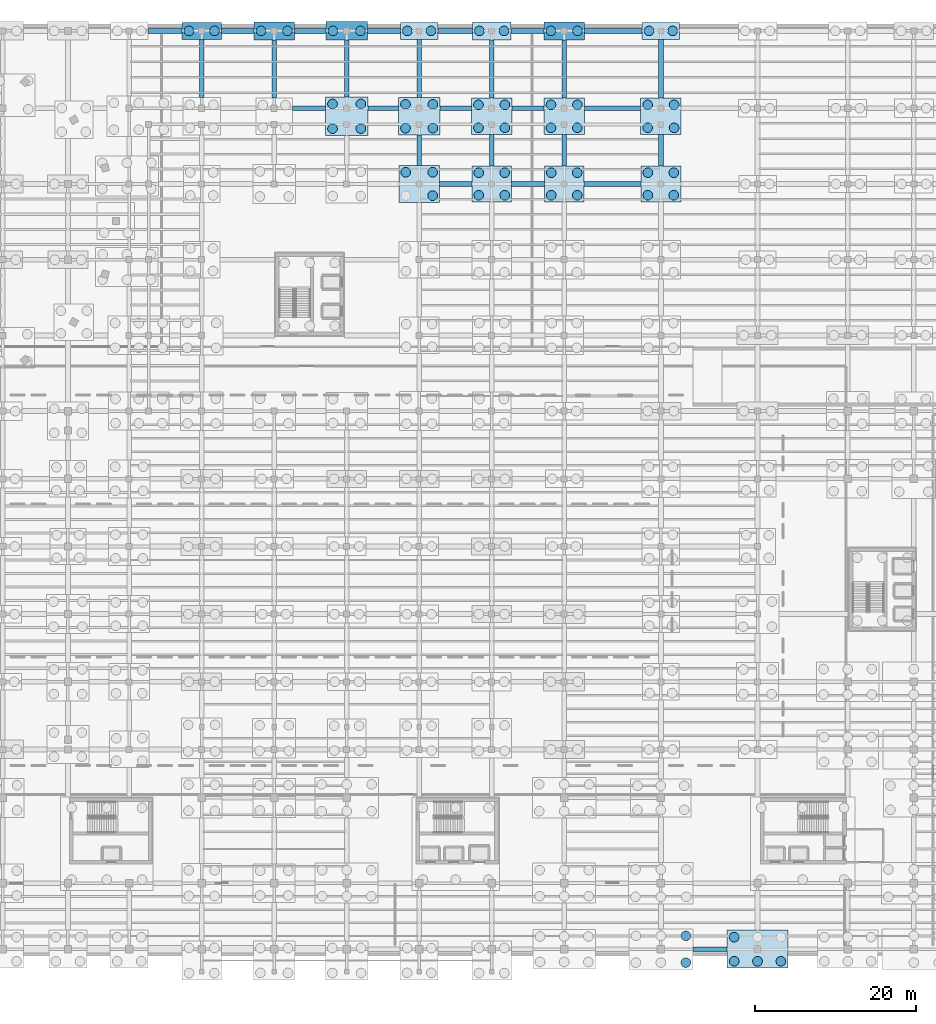
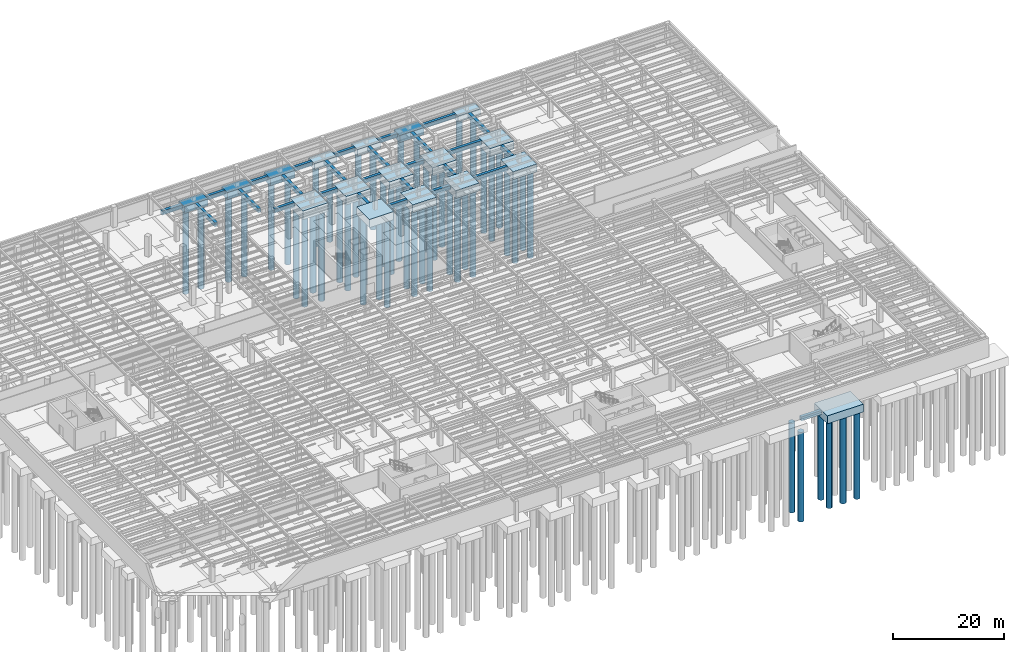
# One storey, part 13 of 49: 55 piles, 44 footings.
"""IFC4 building model written with IfcOpenShell, lengths in metres."""

from ifc_helpers import new_model, si_unit, direction, frame, origin, origin_2d, place, context, subcontext, project, spatial, rectangle, circle, extrude, material, material_profile, profile_set, type_object, element, save


model = new_model("IFC4")

# Units and contexts
model_context = context("Model", 3, precision=1e-05, world=origin(), true_north=direction((0.0, 1.0)))
body_context = subcontext(model_context, "Body", "Model", "MODEL_VIEW")
ifc_project = project(units=[si_unit("LENGTHUNIT", "METRE"), si_unit("AREAUNIT", "SQUARE_METRE"), si_unit("VOLUMEUNIT", "CUBIC_METRE"), si_unit("PLANEANGLEUNIT", "RADIAN"), si_unit("MASSUNIT", "GRAM", prefix="KILO")], contexts=[model_context])

# Site, building, storey
site_placement = place(None, origin())
site = spatial("IfcSite", under=ifc_project, at=site_placement, CompositionType="ELEMENT")
building_placement = place(site_placement, origin())
building = spatial("IfcBuilding", under=site, at=building_placement, Name="Sollismere Congress Hotel", CompositionType="ELEMENT")
storey_placement = place(building_placement, frame((0.0, 0.0, -4.5)))
storey = spatial("IfcBuildingStorey", under=building, at=storey_placement, Name="B1", CompositionType="ELEMENT", Elevation=-4.5)

# Footings
ifc_material = material(Name="Concrete C40/50", Category="concrete")
footing_type_1 = type_object("IfcFootingType", Name="FT-GB600", PredefinedType="FOOTING_BEAM", material=ifc_material)
footing_1_placement = place(storey_placement, frame((130.10009765625, 0.0, -0.89990234375), z_axis=(0.0, 0.0, 1.0), x_axis=(1.0, 0.0, 0.0)))
element("IfcFooting", 1, at=footing_1_placement, inside=storey, type_object=footing_type_1, Name="FTG-GB-005", PredefinedType="FOOTING_BEAM", context=body_context, shape_type="SweptSolid", body=[
    extrude(rectangle(XDim=4.280029296875, YDim=0.60009765625, at=origin_2d()), origin(), (0.0, 0.0, 1.0), 0.89990234375),
])
footing_2_placement = place(storey_placement, frame((98.530029296875, 95.0, -0.89990234375), z_axis=(0.0, 0.0, 1.0), x_axis=(1.0, 0.0, 0.0)))
element("IfcFooting", 2, at=footing_2_placement, inside=storey, type_object=footing_type_1, Name="FTG-GB-174", PredefinedType="FOOTING_BEAM", context=body_context, shape_type="SweptSolid", body=[
    extrude(rectangle(XDim=4.0, YDim=0.60009765625, at=origin_2d()), origin(), (0.0, 0.0, 1.0), 0.89990234375),
])
footing_3_placement = place(storey_placement, frame((107.5, 95.0, -0.89990234375), z_axis=(0.0, 0.0, 1.0), x_axis=(1.0, 0.0, 0.0)))
element("IfcFooting", 3, at=footing_3_placement, inside=storey, type_object=footing_type_1, Name="FTG-GB-175", PredefinedType="FOOTING_BEAM", context=body_context, shape_type="SweptSolid", body=[
    extrude(rectangle(XDim=4.06005859375, YDim=0.60009765625, at=origin_2d()), origin(), (0.0, 0.0, 1.0), 0.89990234375),
])
footing_4_placement = place(storey_placement, frame((118.0, 95.0, -0.89990234375), z_axis=(0.0, 0.0, 1.0), x_axis=(1.0, 0.0, 0.0)))
element("IfcFooting", 4, at=footing_4_placement, inside=storey, type_object=footing_type_1, Name="FTG-GB-176", PredefinedType="FOOTING_BEAM", context=body_context, shape_type="SweptSolid", body=[
    extrude(rectangle(XDim=7.06005859375, YDim=0.60009765625, at=origin_2d()), origin(), (0.0, 0.0, 1.0), 0.89990234375),
])
footing_5_placement = place(storey_placement, frame((80.320068359375, 104.39990234375, -0.89990234375), z_axis=(0.0, 0.0, 1.0), x_axis=(1.0, 0.0, 0.0)))
element("IfcFooting", 5, at=footing_5_placement, inside=storey, type_object=footing_type_1, Name="FTG-GB-190", PredefinedType="FOOTING_BEAM", context=body_context, shape_type="SweptSolid", body=[
    extrude(rectangle(XDim=4.1201171875, YDim=0.60009765625, at=origin_2d()), origin(), (0.0, 0.0, 1.0), 0.89990234375),
])
footing_6_placement = place(storey_placement, frame((89.530029296875, 104.39990234375, -0.89990234375), z_axis=(0.0, 0.0, 1.0), x_axis=(1.0, 0.0, 0.0)))
element("IfcFooting", 6, at=footing_6_placement, inside=storey, type_object=footing_type_1, Name="FTG-GB-191", PredefinedType="FOOTING_BEAM", context=body_context, shape_type="SweptSolid", body=[
    extrude(rectangle(XDim=3.820068359375, YDim=0.60009765625, at=origin_2d()), origin(), (0.0, 0.0, 1.0), 0.89990234375),
])
footing_7_placement = place(storey_placement, frame((98.530029296875, 104.39990234375, -0.89990234375), z_axis=(0.0, 0.0, 1.0), x_axis=(1.0, 0.0, 0.0)))
element("IfcFooting", 7, at=footing_7_placement, inside=storey, type_object=footing_type_1, Name="FTG-GB-192", PredefinedType="FOOTING_BEAM", context=body_context, shape_type="SweptSolid", body=[
    extrude(rectangle(XDim=3.93994140625, YDim=0.60009765625, at=origin_2d()), origin(), (0.0, 0.0, 1.0), 0.89990234375),
])
footing_8_placement = place(storey_placement, frame((107.5, 104.39990234375, -0.89990234375), z_axis=(0.0, 0.0, 1.0), x_axis=(1.0, 0.0, 0.0)))
element("IfcFooting", 8, at=footing_8_placement, inside=storey, type_object=footing_type_1, Name="FTG-GB-193", PredefinedType="FOOTING_BEAM", context=body_context, shape_type="SweptSolid", body=[
    extrude(rectangle(XDim=4.0, YDim=0.60009765625, at=origin_2d()), origin(), (0.0, 0.0, 1.0), 0.89990234375),
])
footing_9_placement = place(storey_placement, frame((118.0, 104.39990234375, -0.89990234375), z_axis=(0.0, 0.0, 1.0), x_axis=(1.0, 0.0, 0.0)))
element("IfcFooting", 9, at=footing_9_placement, inside=storey, type_object=footing_type_1, Name="FTG-GB-194", PredefinedType="FOOTING_BEAM", context=body_context, shape_type="SweptSolid", body=[
    extrude(rectangle(XDim=7.0, YDim=0.60009765625, at=origin_2d()), origin(), (0.0, 0.0, 1.0), 0.89990234375),
])
footing_10_placement = place(storey_placement, frame((62.43994140625, 114.0, -0.89990234375), z_axis=(0.0, 0.0, 1.0), x_axis=(1.0, 0.0, 0.0)))
element("IfcFooting", 10, at=footing_10_placement, inside=storey, type_object=footing_type_1, Name="FTG-GB-205", PredefinedType="FOOTING_BEAM", context=body_context, shape_type="SweptSolid", body=[
    extrude(rectangle(XDim=4.219970703125, YDim=0.60009765625, at=origin_2d()), origin(), (0.0, 0.0, 1.0), 0.89990234375),
])
footing_11_placement = place(storey_placement, frame((71.469970703125, 114.0, -0.89990234375), z_axis=(0.0, 0.0, 1.0), x_axis=(1.0, 0.0, 0.0)))
element("IfcFooting", 11, at=footing_11_placement, inside=storey, type_object=footing_type_1, Name="FTG-GB-206", PredefinedType="FOOTING_BEAM", context=body_context, shape_type="SweptSolid", body=[
    extrude(rectangle(XDim=4.0400390625, YDim=0.60009765625, at=origin_2d()), origin(), (0.0, 0.0, 1.0), 0.89990234375),
])
footing_12_placement = place(storey_placement, frame((80.469970703125, 114.0, -0.89990234375), z_axis=(0.0, 0.0, 1.0), x_axis=(1.0, 0.0, 0.0)))
element("IfcFooting", 12, at=footing_12_placement, inside=storey, type_object=footing_type_1, Name="FTG-GB-207", PredefinedType="FOOTING_BEAM", context=body_context, shape_type="SweptSolid", body=[
    extrude(rectangle(XDim=3.919921875, YDim=0.60009765625, at=origin_2d()), origin(), (0.0, 0.0, 1.0), 0.89990234375),
])
footing_13_placement = place(storey_placement, frame((89.6201171875, 114.0, -0.89990234375), z_axis=(0.0, 0.0, 1.0), x_axis=(1.0, 0.0, 0.0)))
element("IfcFooting", 13, at=footing_13_placement, inside=storey, type_object=footing_type_1, Name="FTG-GB-208", PredefinedType="FOOTING_BEAM", context=body_context, shape_type="SweptSolid", body=[
    extrude(rectangle(XDim=4.10009765625, YDim=0.60009765625, at=origin_2d()), origin(), (0.0, 0.0, 1.0), 0.89990234375),
])
footing_14_placement = place(storey_placement, frame((98.469970703125, 114.0, -0.89990234375), z_axis=(0.0, 0.0, 1.0), x_axis=(1.0, 0.0, 0.0)))
element("IfcFooting", 14, at=footing_14_placement, inside=storey, type_object=footing_type_1, Name="FTG-GB-209", PredefinedType="FOOTING_BEAM", context=body_context, shape_type="SweptSolid", body=[
    extrude(rectangle(XDim=4.280029296875, YDim=0.60009765625, at=origin_2d()), origin(), (0.0, 0.0, 1.0), 0.89990234375),
])
footing_15_placement = place(storey_placement, frame((107.43994140625, 114.0, -0.89990234375), z_axis=(0.0, 0.0, 1.0), x_axis=(1.0, 0.0, 0.0)))
element("IfcFooting", 15, at=footing_15_placement, inside=storey, type_object=footing_type_1, Name="FTG-GB-210", PredefinedType="FOOTING_BEAM", context=body_context, shape_type="SweptSolid", body=[
    extrude(rectangle(XDim=4.10009765625, YDim=0.60009765625, at=origin_2d()), origin(), (0.0, 0.0, 1.0), 0.89990234375),
])
footing_16_placement = place(storey_placement, frame((118.090087890625, 114.0, -0.89990234375), z_axis=(0.0, 0.0, 1.0), x_axis=(1.0, 0.0, 0.0)))
element("IfcFooting", 16, at=footing_16_placement, inside=storey, type_object=footing_type_1, Name="FTG-GB-211", PredefinedType="FOOTING_BEAM", context=body_context, shape_type="SweptSolid", body=[
    extrude(rectangle(XDim=7.159912109375, YDim=0.60009765625, at=origin_2d()), origin(), (0.0, 0.0, 1.0), 0.89990234375),
])
for number, where, z_axis, x_axis, name in (
    (17, (67.0, 109.330078125, -0.89990234375), (0.0, 0.0, 1.0), (0.0, 1.0, 0.0), "FTG-GB-325"),
    (18, (76.0, 109.280029296875, -0.89990234375), (0.0, 0.0, 1.0), (0.0, 1.0, 0.0), "FTG-GB-335"),
):
    element("IfcFooting", number, at=place(storey_placement, frame(where, z_axis=z_axis, x_axis=x_axis)), inside=storey, type_object=footing_type_1, Name=name, PredefinedType="FOOTING_BEAM", context=body_context, shape_type="SweptSolid", body=[
        extrude(rectangle(XDim=7.239990234375, YDim=0.60009765625, at=origin_2d()), origin(), (0.0, 0.0, 1.0), 0.89990234375),
    ])
footing_17_placement = place(storey_placement, frame((85.0, 109.3173828125, -0.89990234375), z_axis=(0.0, 0.0, 1.0), x_axis=(0.0, 1.0, 0.0)))
element("IfcFooting", 19, at=footing_17_placement, inside=storey, type_object=footing_type_1, Name="FTG-GB-345", PredefinedType="FOOTING_BEAM", context=body_context, shape_type="SweptSolid", body=[
    extrude(rectangle(XDim=7.06494140625, YDim=0.60009765625, at=origin_2d()), origin(), (0.0, 0.0, 1.0), 0.89990234375),
])
footing_18_placement = place(storey_placement, frame((94.0, 99.1875, -0.89990234375), z_axis=(0.0, 0.0, 1.0), x_axis=(0.0, 1.0, 0.0)))
element("IfcFooting", 20, at=footing_18_placement, inside=storey, type_object=footing_type_1, Name="FTG-GB-356", PredefinedType="FOOTING_BEAM", context=body_context, shape_type="SweptSolid", body=[
    extrude(rectangle(XDim=3.7548828125, YDim=0.60009765625, at=origin_2d()), origin(), (0.0, 0.0, 1.0), 0.89990234375),
])
footing_19_placement = place(storey_placement, frame((94.0, 109.330078125, -0.89990234375), z_axis=(0.0, 0.0, 1.0), x_axis=(0.0, 1.0, 0.0)))
element("IfcFooting", 21, at=footing_19_placement, inside=storey, type_object=footing_type_1, Name="FTG-GB-357", PredefinedType="FOOTING_BEAM", context=body_context, shape_type="SweptSolid", body=[
    extrude(rectangle(XDim=7.18994140625, YDim=0.60009765625, at=origin_2d()), origin(), (0.0, 0.0, 1.0), 0.89990234375),
])
footing_20_placement = place(storey_placement, frame((103.0, 99.1875, -0.89990234375), z_axis=(0.0, 0.0, 1.0), x_axis=(0.0, 1.0, 0.0)))
element("IfcFooting", 22, at=footing_20_placement, inside=storey, type_object=footing_type_1, Name="FTG-GB-368", PredefinedType="FOOTING_BEAM", context=body_context, shape_type="SweptSolid", body=[
    extrude(rectangle(XDim=3.85498046875, YDim=0.60009765625, at=origin_2d()), origin(), (0.0, 0.0, 1.0), 0.89990234375),
])
footing_21_placement = place(storey_placement, frame((103.0, 109.280029296875, -0.89990234375), z_axis=(0.0, 0.0, 1.0), x_axis=(0.0, 1.0, 0.0)))
element("IfcFooting", 23, at=footing_21_placement, inside=storey, type_object=footing_type_1, Name="FTG-GB-369", PredefinedType="FOOTING_BEAM", context=body_context, shape_type="SweptSolid", body=[
    extrude(rectangle(XDim=7.18994140625, YDim=0.60009765625, at=origin_2d()), origin(), (0.0, 0.0, 1.0), 0.89990234375),
])
footing_22_placement = place(storey_placement, frame((112.0, 99.1875, -0.89990234375), z_axis=(0.0, 0.0, 1.0), x_axis=(0.0, 1.0, 0.0)))
element("IfcFooting", 24, at=footing_22_placement, inside=storey, type_object=footing_type_1, Name="FTG-GB-381", PredefinedType="FOOTING_BEAM", context=body_context, shape_type="SweptSolid", body=[
    extrude(rectangle(XDim=3.85498046875, YDim=0.60009765625, at=origin_2d()), origin(), (0.0, 0.0, 1.0), 0.89990234375),
])
footing_23_placement = place(storey_placement, frame((112.0, 109.29248046875, -0.89990234375), z_axis=(0.0, 0.0, 1.0), x_axis=(0.0, 1.0, 0.0)))
element("IfcFooting", 25, at=footing_23_placement, inside=storey, type_object=footing_type_1, Name="FTG-GB-382", PredefinedType="FOOTING_BEAM", context=body_context, shape_type="SweptSolid", body=[
    extrude(rectangle(XDim=7.215087890625, YDim=0.60009765625, at=origin_2d()), origin(), (0.0, 0.0, 1.0), 0.89990234375),
])
footing_24_placement = place(storey_placement, frame((124.0, 99.1875, -0.89990234375), z_axis=(0.0, 0.0, 1.0), x_axis=(0.0, 1.0, 0.0)))
element("IfcFooting", 26, at=footing_24_placement, inside=storey, type_object=footing_type_1, Name="FTG-GB-394", PredefinedType="FOOTING_BEAM", context=body_context, shape_type="SweptSolid", body=[
    extrude(rectangle(XDim=3.85498046875, YDim=0.60009765625, at=origin_2d()), origin(), (0.0, 0.0, 1.0), 0.89990234375),
])
footing_25_placement = place(storey_placement, frame((124.0, 109.304931640625, -0.89990234375), z_axis=(0.0, 0.0, 1.0), x_axis=(0.0, 1.0, 0.0)))
element("IfcFooting", 27, at=footing_25_placement, inside=storey, type_object=footing_type_1, Name="FTG-GB-395", PredefinedType="FOOTING_BEAM", context=body_context, shape_type="SweptSolid", body=[
    extrude(rectangle(XDim=7.239990234375, YDim=0.60009765625, at=origin_2d()), origin(), (0.0, 0.0, 1.0), 0.89990234375),
])
footing_type_2 = type_object("IfcFootingType", Name="FT-PC2-02", PredefinedType="PILE_CAP", material=ifc_material)
for number, where, z_axis, x_axis, name in (
    (28, (94.0, 114.0, -1.33984375), (0.0, 0.0, 1.0), (1.0, 0.0, 0.0), "Reinforced concrete pile cap PC-152"),
    (29, (124.0, 114.0, -1.33984375), (0.0, 0.0, 1.0), (1.0, 0.0, 0.0), "Reinforced concrete pile cap PC-192"),
):
    element("IfcFooting", number, at=place(storey_placement, frame(where, z_axis=z_axis, x_axis=x_axis)), inside=storey, type_object=footing_type_2, Name=name, PredefinedType="PILE_CAP", context=body_context, shape_type="SweptSolid", body=[
        extrude(rectangle(XDim=4.659912109375, YDim=2.14990234375, at=origin_2d()), origin(), (0.0, 0.0, 1.0), 1.340087890625),
    ])
footing_type_3 = type_object("IfcFootingType", Name="FT-PC2-04", PredefinedType="PILE_CAP", material=ifc_material)
footing_26_placement = place(storey_placement, frame((103.0, 114.0, -1.419921875), z_axis=(0.0, 0.0, 1.0), x_axis=(1.0, 0.0, 0.0)))
element("IfcFooting", 30, at=footing_26_placement, inside=storey, type_object=footing_type_3, Name="Reinforced concrete pile cap PC-164", PredefinedType="PILE_CAP", context=body_context, shape_type="SweptSolid", body=[
    extrude(rectangle(XDim=4.780029296875, YDim=2.25, at=origin_2d()), origin(), (0.0, 0.0, 1.0), 1.419921875),
])
footing_type_4 = type_object("IfcFootingType", Name="FT-PC2-06", PredefinedType="PILE_CAP", material=ifc_material)
footing_27_placement = place(storey_placement, frame((67.0, 114.0, -1.5), z_axis=(0.0, 0.0, 1.0), x_axis=(1.0, 0.0, 0.0)))
element("IfcFooting", 31, at=footing_27_placement, inside=storey, type_object=footing_type_4, Name="Reinforced concrete pile cap PC-116", PredefinedType="PILE_CAP", context=body_context, shape_type="SweptSolid", body=[
    extrude(rectangle(XDim=4.89990234375, YDim=2.10009765625, at=origin_2d()), origin(), (0.0, 0.0, 1.0), 1.5),
])
footing_type_5 = type_object("IfcFootingType", Name="FT-PC2-08", PredefinedType="PILE_CAP", material=ifc_material)
for number, where, z_axis, x_axis, name in (
    (32, (76.0, 114.0, -1.580078125), (0.0, 0.0, 1.0), (1.0, 0.0, 0.0), "Reinforced concrete pile cap PC-128"),
    (33, (112.0, 114.0, -1.580078125), (0.0, 0.0, 1.0), (1.0, 0.0, 0.0), "Reinforced concrete pile cap PC-178"),
):
    element("IfcFooting", number, at=place(storey_placement, frame(where, z_axis=z_axis, x_axis=x_axis)), inside=storey, type_object=footing_type_5, Name=name, PredefinedType="PILE_CAP", context=body_context, shape_type="SweptSolid", body=[
        extrude(rectangle(XDim=5.02001953125, YDim=2.199951171875, at=origin_2d()), origin(), (0.0, 0.0, 1.0), 1.580078125),
    ])
footing_type_6 = type_object("IfcFootingType", Name="FT-PC2-10", PredefinedType="PILE_CAP", material=ifc_material)
footing_28_placement = place(storey_placement, frame((85.0, 114.0, -1.66015625), z_axis=(0.0, 0.0, 1.0), x_axis=(1.0, 0.0, 0.0)))
element("IfcFooting", 34, at=footing_28_placement, inside=storey, type_object=footing_type_6, Name="Reinforced concrete pile cap PC-140", PredefinedType="PILE_CAP", context=body_context, shape_type="SweptSolid", body=[
    extrude(rectangle(XDim=5.139892578125, YDim=2.300048828125, at=origin_2d()), origin(), (0.0, 0.0, 1.0), 1.659912109375),
])
footing_type_7 = type_object("IfcFootingType", Name="FT-PC4-08", PredefinedType="PILE_CAP", material=ifc_material)
for number, where, z_axis, x_axis, name in (
    (35, (103.0, 95.0, -1.72998046875), (0.0, 0.0, 1.0), (1.0, 0.0, 0.0), "Reinforced concrete pile cap PC-162"),
    (36, (112.0, 95.0, -1.72998046875), (0.0, 0.0, 1.0), (1.0, 0.0, 0.0), "Reinforced concrete pile cap PC-176"),
    (37, (124.0, 95.0, -1.72998046875), (0.0, 0.0, 1.0), (1.0, 0.0, 0.0), "Reinforced concrete pile cap PC-190"),
):
    element("IfcFooting", number, at=place(storey_placement, frame(where, z_axis=z_axis, x_axis=x_axis)), inside=storey, type_object=footing_type_7, Name=name, PredefinedType="PILE_CAP", context=body_context, shape_type="SweptSolid", body=[
        extrude(rectangle(XDim=4.93994140625, YDim=4.52001953125, at=origin_2d()), origin(), (0.0, 0.0, 1.0), 1.72998046875),
    ])
footing_type_8 = type_object("IfcFootingType", Name="FT-PC4-09", PredefinedType="PILE_CAP", material=ifc_material)
for number, where, z_axis, x_axis, name in (
    (38, (103.0, 103.39990234375, -1.77001953125), (0.0, 0.0, 1.0), (1.0, 0.0, 0.0), "Reinforced concrete pile cap PC-163"),
    (39, (112.0, 103.39990234375, -1.77001953125), (0.0, 0.0, 1.0), (1.0, 0.0, 0.0), "Reinforced concrete pile cap PC-177"),
    (40, (124.0, 103.39990234375, -1.77001953125), (0.0, 0.0, 1.0), (1.0, 0.0, 0.0), "Reinforced concrete pile cap PC-191"),
):
    element("IfcFooting", number, at=place(storey_placement, frame(where, z_axis=z_axis, x_axis=x_axis)), inside=storey, type_object=footing_type_8, Name=name, PredefinedType="PILE_CAP", context=body_context, shape_type="SweptSolid", body=[
        extrude(rectangle(XDim=5.0, YDim=4.570068359375, at=origin_2d()), origin(), (0.0, 0.0, 1.0), 1.77001953125),
    ])
footing_type_9 = type_object("IfcFootingType", Name="FT-PC4-10", PredefinedType="PILE_CAP", material=ifc_material)
footing_29_placement = place(storey_placement, frame((94.0, 95.0, -1.81005859375), z_axis=(0.0, 0.0, 1.0), x_axis=(1.0, 0.0, 0.0)))
element("IfcFooting", 41, at=footing_29_placement, inside=storey, type_object=footing_type_9, Name="Reinforced concrete pile cap PC-150", PredefinedType="PILE_CAP", context=body_context, shape_type="SweptSolid", body=[
    extrude(rectangle(XDim=5.06005859375, YDim=4.6201171875, at=origin_2d()), origin(), (0.0, 0.0, 1.0), 1.81005859375),
])
footing_type_10 = type_object("IfcFootingType", Name="FT-PC4-11", PredefinedType="PILE_CAP", material=ifc_material)
footing_30_placement = place(storey_placement, frame((94.0, 103.39990234375, -1.85009765625), z_axis=(0.0, 0.0, 1.0), x_axis=(1.0, 0.0, 0.0)))
element("IfcFooting", 42, at=footing_30_placement, inside=storey, type_object=footing_type_10, Name="Reinforced concrete pile cap PC-151", PredefinedType="PILE_CAP", context=body_context, shape_type="SweptSolid", body=[
    extrude(rectangle(XDim=5.1201171875, YDim=4.669921875, at=origin_2d()), origin(), (0.0, 0.0, 1.0), 1.85009765625),
])
footing_type_11 = type_object("IfcFootingType", Name="FT-PC4-13", PredefinedType="PILE_CAP", material=ifc_material)
footing_31_placement = place(storey_placement, frame((85.0, 103.39990234375, -1.93017578125), z_axis=(0.0, 0.0, 1.0), x_axis=(1.0, 0.0, 0.0)))
element("IfcFooting", 43, at=footing_31_placement, inside=storey, type_object=footing_type_11, Name="Reinforced concrete pile cap PC-139", PredefinedType="PILE_CAP", context=body_context, shape_type="SweptSolid", body=[
    extrude(rectangle(XDim=5.239990234375, YDim=4.77001953125, at=origin_2d()), origin(), (0.0, 0.0, 1.0), 1.929931640625),
])
footing_type_12 = type_object("IfcFootingType", Name="FT-PC6-01", PredefinedType="PILE_CAP", material=ifc_material)
footing_32_placement = place(storey_placement, frame((136.0, 0.0, -1.75), z_axis=(0.0, 0.0, 1.0), x_axis=(1.0, 0.0, 0.0)))
element("IfcFooting", 44, at=footing_32_placement, inside=storey, type_object=footing_type_12, Name="Reinforced concrete pile cap PC-193", PredefinedType="PILE_CAP", context=body_context, shape_type="SweptSolid", body=[
    extrude(rectangle(XDim=7.52001953125, YDim=4.719970703125, at=origin_2d()), origin(), (0.0, 0.0, 1.0), 1.75),
])

# Piles
ifc_material_profile = material_profile(ifc_material, circle(Radius=0.60009765625, at=origin_2d()), Name="CAISSON1200")
ifc_profile_set = profile_set([ifc_material_profile], Name="Concrete C40/50")
pile_type = type_object("IfcPileType", Name="PL-CS1200", PredefinedType="BORED", material=ifc_profile_set)
for number, where, z_axis, x_axis, name in (
    (45, (65.409912109375, 114.0, -1.39990234375), (0.0, 0.0, -1.0), (1.0, 0.0, 0.0), "Bored rock-socketed caisson PL-359"),
    (46, (68.590087890625, 114.0, -1.39990234375), (0.0, 0.0, -1.0), (1.0, 0.0, 0.0), "Bored rock-socketed caisson PL-360"),
):
    element("IfcPile", number, at=place(storey_placement, frame(where, z_axis=z_axis, x_axis=x_axis)), inside=storey, type_object=pile_type, Name=name, PredefinedType="BORED", context=body_context, shape_type="SweptSolid", body=[
        extrude(circle(Radius=0.60009765625, at=origin_2d()), origin(), (0.0, 0.0, 1.0), 18.5),
    ])
for number, where, z_axis, x_axis, name in (
    (47, (74.35009765625, 114.0, -1.47998046875), (0.0, 0.0, -1.0), (1.0, 0.0, 0.0), "Bored rock-socketed caisson PL-397"),
    (48, (77.64990234375, 114.0, -1.47998046875), (0.0, 0.0, -1.0), (1.0, 0.0, 0.0), "Bored rock-socketed caisson PL-398"),
):
    element("IfcPile", number, at=place(storey_placement, frame(where, z_axis=z_axis, x_axis=x_axis)), inside=storey, type_object=pile_type, Name=name, PredefinedType="BORED", context=body_context, shape_type="SweptSolid", body=[
        extrude(circle(Radius=0.60009765625, at=origin_2d()), origin(), (0.0, 0.0, 1.0), 18.89990234375),
    ])
for number, where, z_axis, x_axis, name in (
    (49, (83.239990234375, 101.875, -1.830078125), (0.0, 0.0, -1.0), (1.0, 0.0, 0.0), "Bored rock-socketed caisson PL-435"),
    (50, (86.760009765625, 101.875, -1.830078125), (0.0, 0.0, -1.0), (1.0, 0.0, 0.0), "Bored rock-socketed caisson PL-436"),
    (51, (83.239990234375, 104.925048828125, -1.830078125), (0.0, 0.0, -1.0), (1.0, 0.0, 0.0), "Bored rock-socketed caisson PL-437"),
    (52, (86.760009765625, 104.925048828125, -1.830078125), (0.0, 0.0, -1.0), (1.0, 0.0, 0.0), "Bored rock-socketed caisson PL-438"),
):
    element("IfcPile", number, at=place(storey_placement, frame(where, z_axis=z_axis, x_axis=x_axis)), inside=storey, type_object=pile_type, Name=name, PredefinedType="BORED", context=body_context, shape_type="SweptSolid", body=[
        extrude(circle(Radius=0.60009765625, at=origin_2d()), origin(), (0.0, 0.0, 1.0), 19.800048828125),
    ])
for number, where, z_axis, x_axis, name in (
    (53, (83.2900390625, 114.0, -1.56005859375), (0.0, 0.0, -1.0), (1.0, 0.0, 0.0), "Bored rock-socketed caisson PL-439"),
    (54, (86.7099609375, 114.0, -1.56005859375), (0.0, 0.0, -1.0), (1.0, 0.0, 0.0), "Bored rock-socketed caisson PL-440"),
):
    element("IfcPile", number, at=place(storey_placement, frame(where, z_axis=z_axis, x_axis=x_axis)), inside=storey, type_object=pile_type, Name=name, PredefinedType="BORED", context=body_context, shape_type="SweptSolid", body=[
        extrude(circle(Radius=0.60009765625, at=origin_2d()), origin(), (0.0, 0.0, 1.0), 19.300048828125),
    ])
for number, where, z_axis, x_axis, name in (
    (55, (95.669921875, 93.550048828125, -1.7099609375), (0.0, 0.0, -1.0), (1.0, 0.0, 0.0), "Bored rock-socketed caisson PL-470"),
    (56, (92.330078125, 96.449951171875, -1.7099609375), (0.0, 0.0, -1.0), (1.0, 0.0, 0.0), "Bored rock-socketed caisson PL-471"),
    (57, (95.669921875, 96.449951171875, -1.7099609375), (0.0, 0.0, -1.0), (1.0, 0.0, 0.0), "Bored rock-socketed caisson PL-472"),
):
    element("IfcPile", number, at=place(storey_placement, frame(where, z_axis=z_axis, x_axis=x_axis)), inside=storey, type_object=pile_type, Name=name, PredefinedType="BORED", context=body_context, shape_type="SweptSolid", body=[
        extrude(circle(Radius=0.60009765625, at=origin_2d()), origin(), (0.0, 0.0, 1.0), 19.35009765625),
    ])
for number, where, z_axis, x_axis, name in (
    (58, (92.300048828125, 101.925048828125, -1.75), (0.0, 0.0, -1.0), (1.0, 0.0, 0.0), "Bored rock-socketed caisson PL-473"),
    (59, (95.699951171875, 101.925048828125, -1.75), (0.0, 0.0, -1.0), (1.0, 0.0, 0.0), "Bored rock-socketed caisson PL-474"),
    (60, (92.300048828125, 104.875, -1.75), (0.0, 0.0, -1.0), (1.0, 0.0, 0.0), "Bored rock-socketed caisson PL-475"),
    (61, (95.699951171875, 104.875, -1.75), (0.0, 0.0, -1.0), (1.0, 0.0, 0.0), "Bored rock-socketed caisson PL-476"),
):
    element("IfcPile", number, at=place(storey_placement, frame(where, z_axis=z_axis, x_axis=x_axis)), inside=storey, type_object=pile_type, Name=name, PredefinedType="BORED", context=body_context, shape_type="SweptSolid", body=[
        extrude(circle(Radius=0.60009765625, at=origin_2d()), origin(), (0.0, 0.0, 1.0), 19.5),
    ])
for number, where, z_axis, x_axis, name in (
    (62, (92.530029296875, 114.0, -1.239990234375), (0.0, 0.0, -1.0), (1.0, 0.0, 0.0), "Bored rock-socketed caisson PL-477"),
    (63, (95.469970703125, 114.0, -1.239990234375), (0.0, 0.0, -1.0), (1.0, 0.0, 0.0), "Bored rock-socketed caisson PL-478"),
):
    element("IfcPile", number, at=place(storey_placement, frame(where, z_axis=z_axis, x_axis=x_axis)), inside=storey, type_object=pile_type, Name=name, PredefinedType="BORED", context=body_context, shape_type="SweptSolid", body=[
        extrude(circle(Radius=0.60009765625, at=origin_2d()), origin(), (0.0, 0.0, 1.0), 17.699951171875),
    ])
for number, where, z_axis, x_axis, name in (
    (64, (101.389892578125, 93.60009765625, -1.6298828125), (0.0, 0.0, -1.0), (1.0, 0.0, 0.0), "Bored rock-socketed caisson PL-507"),
    (65, (104.610107421875, 93.60009765625, -1.6298828125), (0.0, 0.0, -1.0), (1.0, 0.0, 0.0), "Bored rock-socketed caisson PL-508"),
    (66, (101.389892578125, 96.39990234375, -1.6298828125), (0.0, 0.0, -1.0), (1.0, 0.0, 0.0), "Bored rock-socketed caisson PL-509"),
    (67, (104.610107421875, 96.39990234375, -1.6298828125), (0.0, 0.0, -1.0), (1.0, 0.0, 0.0), "Bored rock-socketed caisson PL-510"),
):
    element("IfcPile", number, at=place(storey_placement, frame(where, z_axis=z_axis, x_axis=x_axis)), inside=storey, type_object=pile_type, Name=name, PredefinedType="BORED", context=body_context, shape_type="SweptSolid", body=[
        extrude(circle(Radius=0.60009765625, at=origin_2d()), origin(), (0.0, 0.0, 1.0), 19.050048828125),
    ])
for number, where, z_axis, x_axis, name in (
    (68, (101.360107421875, 101.97509765625, -1.669921875), (0.0, 0.0, -1.0), (1.0, 0.0, 0.0), "Bored rock-socketed caisson PL-511"),
    (69, (104.639892578125, 101.97509765625, -1.669921875), (0.0, 0.0, -1.0), (1.0, 0.0, 0.0), "Bored rock-socketed caisson PL-512"),
    (70, (101.360107421875, 104.824951171875, -1.669921875), (0.0, 0.0, -1.0), (1.0, 0.0, 0.0), "Bored rock-socketed caisson PL-513"),
    (71, (104.639892578125, 104.824951171875, -1.669921875), (0.0, 0.0, -1.0), (1.0, 0.0, 0.0), "Bored rock-socketed caisson PL-514"),
):
    element("IfcPile", number, at=place(storey_placement, frame(where, z_axis=z_axis, x_axis=x_axis)), inside=storey, type_object=pile_type, Name=name, PredefinedType="BORED", context=body_context, shape_type="SweptSolid", body=[
        extrude(circle(Radius=0.60009765625, at=origin_2d()), origin(), (0.0, 0.0, 1.0), 19.199951171875),
    ])
for number, where, z_axis, x_axis, name in (
    (72, (101.469970703125, 114.0, -1.320068359375), (0.0, 0.0, -1.0), (1.0, 0.0, 0.0), "Bored rock-socketed caisson PL-515"),
    (73, (104.530029296875, 114.0, -1.320068359375), (0.0, 0.0, -1.0), (1.0, 0.0, 0.0), "Bored rock-socketed caisson PL-516"),
):
    element("IfcPile", number, at=place(storey_placement, frame(where, z_axis=z_axis, x_axis=x_axis)), inside=storey, type_object=pile_type, Name=name, PredefinedType="BORED", context=body_context, shape_type="SweptSolid", body=[
        extrude(circle(Radius=0.60009765625, at=origin_2d()), origin(), (0.0, 0.0, 1.0), 18.10009765625),
    ])
for number, where, z_axis, x_axis, name in (
    (74, (110.389892578125, 93.60009765625, -1.6298828125), (0.0, 0.0, -1.0), (1.0, 0.0, 0.0), "Bored rock-socketed caisson PL-555"),
    (75, (113.610107421875, 93.60009765625, -1.6298828125), (0.0, 0.0, -1.0), (1.0, 0.0, 0.0), "Bored rock-socketed caisson PL-556"),
    (76, (110.389892578125, 96.39990234375, -1.6298828125), (0.0, 0.0, -1.0), (1.0, 0.0, 0.0), "Bored rock-socketed caisson PL-557"),
    (77, (113.610107421875, 96.39990234375, -1.6298828125), (0.0, 0.0, -1.0), (1.0, 0.0, 0.0), "Bored rock-socketed caisson PL-558"),
):
    element("IfcPile", number, at=place(storey_placement, frame(where, z_axis=z_axis, x_axis=x_axis)), inside=storey, type_object=pile_type, Name=name, PredefinedType="BORED", context=body_context, shape_type="SweptSolid", body=[
        extrude(circle(Radius=0.60009765625, at=origin_2d()), origin(), (0.0, 0.0, 1.0), 19.050048828125),
    ])
for number, where, z_axis, x_axis, name in (
    (78, (110.360107421875, 101.97509765625, -1.669921875), (0.0, 0.0, -1.0), (1.0, 0.0, 0.0), "Bored rock-socketed caisson PL-559"),
    (79, (113.639892578125, 101.97509765625, -1.669921875), (0.0, 0.0, -1.0), (1.0, 0.0, 0.0), "Bored rock-socketed caisson PL-560"),
    (80, (110.360107421875, 104.824951171875, -1.669921875), (0.0, 0.0, -1.0), (1.0, 0.0, 0.0), "Bored rock-socketed caisson PL-561"),
    (81, (113.639892578125, 104.824951171875, -1.669921875), (0.0, 0.0, -1.0), (1.0, 0.0, 0.0), "Bored rock-socketed caisson PL-562"),
):
    element("IfcPile", number, at=place(storey_placement, frame(where, z_axis=z_axis, x_axis=x_axis)), inside=storey, type_object=pile_type, Name=name, PredefinedType="BORED", context=body_context, shape_type="SweptSolid", body=[
        extrude(circle(Radius=0.60009765625, at=origin_2d()), origin(), (0.0, 0.0, 1.0), 19.199951171875),
    ])
for number, where, z_axis, x_axis, name in (
    (82, (110.35009765625, 114.0, -1.47998046875), (0.0, 0.0, -1.0), (1.0, 0.0, 0.0), "Bored rock-socketed caisson PL-563"),
    (83, (113.64990234375, 114.0, -1.47998046875), (0.0, 0.0, -1.0), (1.0, 0.0, 0.0), "Bored rock-socketed caisson PL-564"),
):
    element("IfcPile", number, at=place(storey_placement, frame(where, z_axis=z_axis, x_axis=x_axis)), inside=storey, type_object=pile_type, Name=name, PredefinedType="BORED", context=body_context, shape_type="SweptSolid", body=[
        extrude(circle(Radius=0.60009765625, at=origin_2d()), origin(), (0.0, 0.0, 1.0), 18.89990234375),
    ])
for number, where, z_axis, x_axis, name in (
    (84, (127.10009765625, -1.659912109375, -1.85009765625), (0.0, 0.0, -1.0), (1.0, 0.0, 0.0), "Bored rock-socketed caisson PL-567"),
    (85, (127.10009765625, 1.659912109375, -1.85009765625), (0.0, 0.0, -1.0), (1.0, 0.0, 0.0), "Bored rock-socketed caisson PL-570"),
):
    element("IfcPile", number, at=place(storey_placement, frame(where, z_axis=z_axis, x_axis=x_axis)), inside=storey, type_object=pile_type, Name=name, PredefinedType="BORED", context=body_context, shape_type="SweptSolid", body=[
        extrude(circle(Radius=0.60009765625, at=origin_2d()), origin(), (0.0, 0.0, 1.0), 19.800048828125),
    ])
for number, where, z_axis, x_axis, name in (
    (86, (122.389892578125, 93.60009765625, -1.6298828125), (0.0, 0.0, -1.0), (1.0, 0.0, 0.0), "Bored rock-socketed caisson PL-611"),
    (87, (125.610107421875, 93.60009765625, -1.6298828125), (0.0, 0.0, -1.0), (1.0, 0.0, 0.0), "Bored rock-socketed caisson PL-612"),
    (88, (122.389892578125, 96.39990234375, -1.6298828125), (0.0, 0.0, -1.0), (1.0, 0.0, 0.0), "Bored rock-socketed caisson PL-613"),
    (89, (125.610107421875, 96.39990234375, -1.6298828125), (0.0, 0.0, -1.0), (1.0, 0.0, 0.0), "Bored rock-socketed caisson PL-614"),
):
    element("IfcPile", number, at=place(storey_placement, frame(where, z_axis=z_axis, x_axis=x_axis)), inside=storey, type_object=pile_type, Name=name, PredefinedType="BORED", context=body_context, shape_type="SweptSolid", body=[
        extrude(circle(Radius=0.60009765625, at=origin_2d()), origin(), (0.0, 0.0, 1.0), 19.050048828125),
    ])
for number, where, z_axis, x_axis, name in (
    (90, (122.360107421875, 101.97509765625, -1.669921875), (0.0, 0.0, -1.0), (1.0, 0.0, 0.0), "Bored rock-socketed caisson PL-615"),
    (91, (125.639892578125, 101.97509765625, -1.669921875), (0.0, 0.0, -1.0), (1.0, 0.0, 0.0), "Bored rock-socketed caisson PL-616"),
    (92, (122.360107421875, 104.824951171875, -1.669921875), (0.0, 0.0, -1.0), (1.0, 0.0, 0.0), "Bored rock-socketed caisson PL-617"),
    (93, (125.639892578125, 104.824951171875, -1.669921875), (0.0, 0.0, -1.0), (1.0, 0.0, 0.0), "Bored rock-socketed caisson PL-618"),
):
    element("IfcPile", number, at=place(storey_placement, frame(where, z_axis=z_axis, x_axis=x_axis)), inside=storey, type_object=pile_type, Name=name, PredefinedType="BORED", context=body_context, shape_type="SweptSolid", body=[
        extrude(circle(Radius=0.60009765625, at=origin_2d()), origin(), (0.0, 0.0, 1.0), 19.199951171875),
    ])
for number, where, z_axis, x_axis, name in (
    (94, (122.530029296875, 114.0, -1.239990234375), (0.0, 0.0, -1.0), (1.0, 0.0, 0.0), "Bored rock-socketed caisson PL-619"),
    (95, (125.469970703125, 114.0, -1.239990234375), (0.0, 0.0, -1.0), (1.0, 0.0, 0.0), "Bored rock-socketed caisson PL-620"),
):
    element("IfcPile", number, at=place(storey_placement, frame(where, z_axis=z_axis, x_axis=x_axis)), inside=storey, type_object=pile_type, Name=name, PredefinedType="BORED", context=body_context, shape_type="SweptSolid", body=[
        extrude(circle(Radius=0.60009765625, at=origin_2d()), origin(), (0.0, 0.0, 1.0), 17.699951171875),
    ])
for number, where, z_axis, x_axis, name in (
    (96, (133.10009765625, -1.5, -1.64990234375), (0.0, 0.0, -1.0), (1.0, 0.0, 0.0), "Bored rock-socketed caisson PL-621"),
    (97, (136.0, -1.5, -1.64990234375), (0.0, 0.0, -1.0), (1.0, 0.0, 0.0), "Bored rock-socketed caisson PL-622"),
    (98, (138.89990234375, -1.5, -1.64990234375), (0.0, 0.0, -1.0), (1.0, 0.0, 0.0), "Bored rock-socketed caisson PL-623"),
    (99, (133.10009765625, 1.5, -1.64990234375), (0.0, 0.0, -1.0), (1.0, 0.0, 0.0), "Bored rock-socketed caisson PL-624"),
):
    element("IfcPile", number, at=place(storey_placement, frame(where, z_axis=z_axis, x_axis=x_axis)), inside=storey, type_object=pile_type, Name=name, PredefinedType="BORED", context=body_context, shape_type="SweptSolid", body=[
        extrude(circle(Radius=0.60009765625, at=origin_2d()), origin(), (0.0, 0.0, 1.0), 19.199951171875),
    ])

save(model, "model.ifc")
